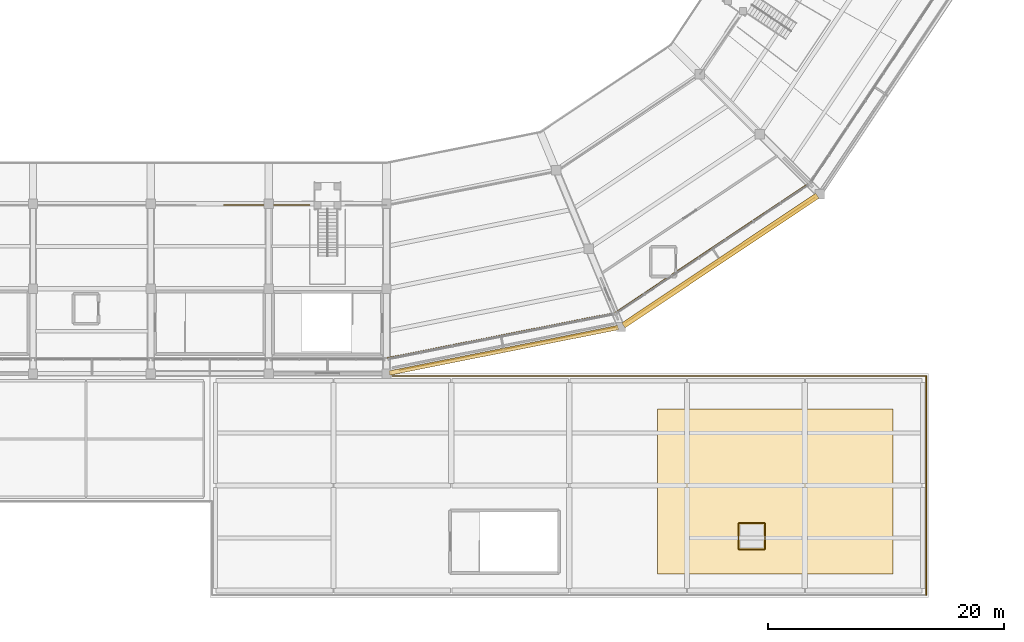
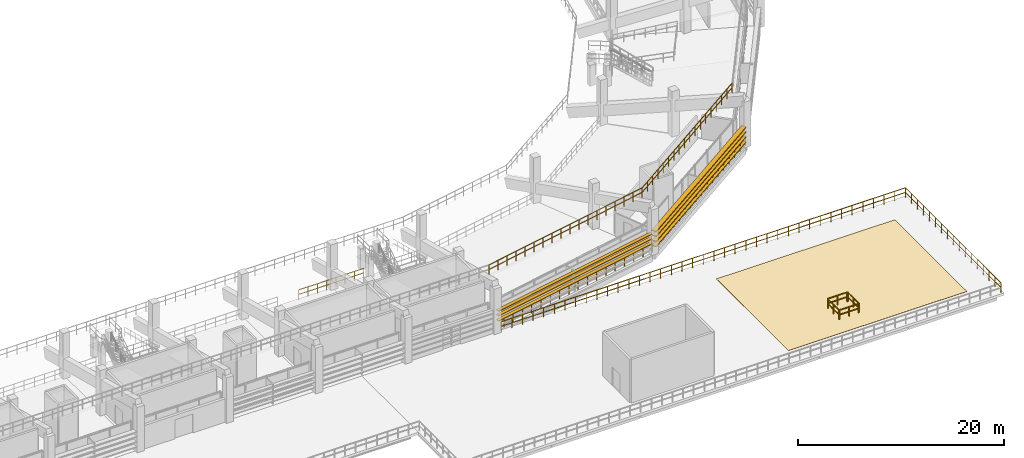
# One storey, part 88 of 96: 11 railings, 7 shading devices, 1 covering.
"""IFC4 building model written with IfcOpenShell, lengths in metres."""

from ifc_helpers import new_model, si_unit, direction, frame, origin, origin_2d, place, context, subcontext, project, spatial, polyline, rectangle, circle, outline, extrude, material, layer, layer_set, type_object, element, save


model = new_model("IFC4")

# Units and contexts
model_context = context("Model", 3, precision=1e-05, world=origin(), true_north=direction((0.0, 1.0)))
body_context = subcontext(model_context, "Body", "Model", "MODEL_VIEW")
ifc_project = project(units=[si_unit("LENGTHUNIT", "METRE"), si_unit("AREAUNIT", "SQUARE_METRE"), si_unit("VOLUMEUNIT", "CUBIC_METRE"), si_unit("PLANEANGLEUNIT", "RADIAN"), si_unit("MASSUNIT", "GRAM", prefix="KILO")], contexts=[model_context])

# Site, building, storey
site_placement = place(None, origin())
site = spatial("IfcSite", under=ifc_project, at=site_placement, CompositionType="ELEMENT")
building_placement = place(site_placement, origin())
building = spatial("IfcBuilding", under=site, at=building_placement, Name="Candeia Ridge Stadium", CompositionType="ELEMENT")
storey_placement = place(building_placement, frame((0.0, 0.0, 21.60009765625)))
storey = spatial("IfcBuildingStorey", under=building, at=storey_placement, Name="L04", CompositionType="ELEMENT", Elevation=21.60009765625)

# Railings
ifc_material_1 = material(Name="Laminated Glass & Stainless Steel", Category="steel")
ifc_layer_1 = layer(ifc_material_1, 0.080078125, Name="Laminated Glass & Stainless Steel", Category="steel")
ifc_layer_set_1 = layer_set([ifc_layer_1], Name="Laminated Glass & Stainless Steel")
railing_type_1 = type_object("IfcRailingType", Name="Planted Terrace Glass-Steel Guard 1150", PredefinedType="BALUSTRADE", material=ifc_layer_set_1)
railing_1_placement = place(storey_placement, frame((170.929931640625, 4.080078125, 0.0)))
element("IfcRailing", 1, at=railing_1_placement, inside=storey, type_object=railing_type_1, Name="Skylight perimeter safety balustrade GR-SKY-06-1", PredefinedType="BALUSTRADE", context=body_context, shape_type="SweptSolid", body=[
    extrude(circle(Radius=0.02392578125, at=origin_2d()), frame((0.0, 0.0, 1.1259765625), z_axis=(1.0, 0.0, 0.0), x_axis=(0.0, 1.0, 0.0)), (0.0, 0.0, 1.0), 2.14013671875),
    extrude(circle(Radius=0.02392578125, at=origin_2d()), frame((0.0, 0.0, 0.574951171875), z_axis=(1.0, 0.0, 0.0), x_axis=(0.0, 1.0, 0.0)), (0.0, 0.0, 1.0), 2.14013671875),
    extrude(circle(Radius=0.02099609375, at=origin_2d()), origin(), (0.0, 0.0, 1.0), 1.101806640625),
    extrude(circle(Radius=0.02099609375, at=origin_2d()), frame((1.070068359375, 0.0, 0.0)), (0.0, 0.0, 1.0), 1.101806640625),
    extrude(circle(Radius=0.02099609375, at=origin_2d()), frame((2.14013671875, 0.0, 0.0)), (0.0, 0.0, 1.0), 1.101806640625),
])
railing_2_placement = place(storey_placement, frame((173.1201171875, 4.1298828125, 0.0)))
element("IfcRailing", 2, at=railing_2_placement, inside=storey, type_object=railing_type_1, Name="Skylight perimeter safety balustrade GR-SKY-06-2", PredefinedType="BALUSTRADE", context=body_context, shape_type="SweptSolid", body=[
    extrude(circle(Radius=0.02392578125, at=origin_2d()), frame((0.0, 0.0, 1.1259765625), z_axis=(0.0, 1.0, 0.0), x_axis=(-1.0, 0.0, 0.0)), (0.0, 0.0, 1.0), 2.14013671875),
    extrude(circle(Radius=0.02392578125, at=origin_2d()), frame((0.0, 0.0, 0.574951171875), z_axis=(0.0, 1.0, 0.0), x_axis=(-1.0, 0.0, 0.0)), (0.0, 0.0, 1.0), 2.14013671875),
    extrude(circle(Radius=0.02099609375, at=origin_2d()), origin(), (0.0, 0.0, 1.0), 1.101806640625),
    extrude(circle(Radius=0.02099609375, at=origin_2d()), frame((0.0, 1.070068359375, 0.0)), (0.0, 0.0, 1.0), 1.101806640625),
    extrude(circle(Radius=0.02099609375, at=origin_2d()), frame((0.0, 2.14013671875, 0.0)), (0.0, 0.0, 1.0), 1.101806640625),
])
railing_3_placement = place(storey_placement, frame((173.070068359375, 6.320068359375, 0.0)))
element("IfcRailing", 3, at=railing_3_placement, inside=storey, type_object=railing_type_1, Name="Skylight perimeter safety balustrade GR-SKY-06-3", PredefinedType="BALUSTRADE", context=body_context, shape_type="SweptSolid", body=[
    extrude(circle(Radius=0.02392578125, at=origin_2d()), frame((0.0, 0.0, 1.1259765625), z_axis=(-1.0, 0.0, 0.0), x_axis=(0.0, -1.0, 0.0)), (0.0, 0.0, 1.0), 2.14013671875),
    extrude(circle(Radius=0.02392578125, at=origin_2d()), frame((0.0, 0.0, 0.574951171875), z_axis=(-1.0, 0.0, 0.0), x_axis=(0.0, -1.0, 0.0)), (0.0, 0.0, 1.0), 2.14013671875),
    extrude(circle(Radius=0.02099609375, at=origin_2d()), origin(), (0.0, 0.0, 1.0), 1.101806640625),
    extrude(circle(Radius=0.02099609375, at=origin_2d()), frame((-1.070068359375, 0.0, 0.0)), (0.0, 0.0, 1.0), 1.101806640625),
    extrude(circle(Radius=0.02099609375, at=origin_2d()), frame((-2.14013671875, 0.0, 0.0)), (0.0, 0.0, 1.0), 1.101806640625),
])
railing_4_placement = place(storey_placement, frame((170.8798828125, 6.27001953125, 0.0)))
element("IfcRailing", 4, at=railing_4_placement, inside=storey, type_object=railing_type_1, Name="Skylight perimeter safety balustrade GR-SKY-06-4", PredefinedType="BALUSTRADE", context=body_context, shape_type="SweptSolid", body=[
    extrude(circle(Radius=0.02392578125, at=origin_2d()), frame((0.0, 0.0, 1.1259765625), z_axis=(0.0, -1.0, 0.0), x_axis=(1.0, 0.0, 0.0)), (0.0, 0.0, 1.0), 2.14013671875),
    extrude(circle(Radius=0.02392578125, at=origin_2d()), frame((0.0, 0.0, 0.574951171875), z_axis=(0.0, -1.0, 0.0), x_axis=(1.0, 0.0, 0.0)), (0.0, 0.0, 1.0), 2.14013671875),
    extrude(circle(Radius=0.02099609375, at=origin_2d()), origin(), (0.0, 0.0, 1.0), 1.101806640625),
    extrude(circle(Radius=0.02099609375, at=origin_2d()), frame((0.0, -1.070068359375, 0.0)), (0.0, 0.0, 1.0), 1.101806640625),
    extrude(circle(Radius=0.02099609375, at=origin_2d()), frame((0.0, -2.14013671875, 0.0)), (0.0, 0.0, 1.0), 1.101806640625),
])
railing_5_placement = place(storey_placement, frame((186.800048828125, 0.199951171875, 0.0)))
element("IfcRailing", 5, at=railing_5_placement, inside=storey, type_object=railing_type_1, Name="Terrace perimeter balustrade GR-TER-206", PredefinedType="BALUSTRADE", context=body_context, shape_type="SweptSolid", body=[
    extrude(circle(Radius=0.02392578125, at=origin_2d()), frame((0.0, 0.0, 1.1259765625), z_axis=(0.0, 1.0, 0.0), x_axis=(-1.0, 0.0, 0.0)), (0.0, 0.0, 1.0), 18.60009765625),
    extrude(circle(Radius=0.02392578125, at=origin_2d()), frame((0.0, 0.0, 0.574951171875), z_axis=(0.0, 1.0, 0.0), x_axis=(-1.0, 0.0, 0.0)), (0.0, 0.0, 1.0), 18.60009765625),
    extrude(circle(Radius=0.02099609375, at=origin_2d()), origin(), (0.0, 0.0, 1.0), 1.101806640625),
    extrude(circle(Radius=0.02099609375, at=origin_2d()), frame((0.0, 1.16259765625, 0.0)), (0.0, 0.0, 1.0), 1.101806640625),
    extrude(circle(Radius=0.02099609375, at=origin_2d()), frame((0.0, 2.324951171875, 0.0)), (0.0, 0.0, 1.0), 1.101806640625),
    extrude(circle(Radius=0.02099609375, at=origin_2d()), frame((0.0, 3.487548828125, 0.0)), (0.0, 0.0, 1.0), 1.101806640625),
    extrude(circle(Radius=0.02099609375, at=origin_2d()), frame((0.0, 4.64990234375, 0.0)), (0.0, 0.0, 1.0), 1.101806640625),
    extrude(circle(Radius=0.02099609375, at=origin_2d()), frame((0.0, 5.8125, 0.0)), (0.0, 0.0, 1.0), 1.101806640625),
    extrude(circle(Radius=0.02099609375, at=origin_2d()), frame((0.0, 6.97509765625, 0.0)), (0.0, 0.0, 1.0), 1.101806640625),
    extrude(circle(Radius=0.02099609375, at=origin_2d()), frame((0.0, 8.137451171875, 0.0)), (0.0, 0.0, 1.0), 1.101806640625),
    extrude(circle(Radius=0.02099609375, at=origin_2d()), frame((0.0, 9.300048828125, 0.0)), (0.0, 0.0, 1.0), 1.101806640625),
    extrude(circle(Radius=0.02099609375, at=origin_2d()), frame((0.0, 10.462646484375, 0.0)), (0.0, 0.0, 1.0), 1.101806640625),
    extrude(circle(Radius=0.02099609375, at=origin_2d()), frame((0.0, 11.625, 0.0)), (0.0, 0.0, 1.0), 1.101806640625),
    extrude(circle(Radius=0.02099609375, at=origin_2d()), frame((0.0, 12.78759765625, 0.0)), (0.0, 0.0, 1.0), 1.101806640625),
    extrude(circle(Radius=0.02099609375, at=origin_2d()), frame((0.0, 13.9501953125, 0.0)), (0.0, 0.0, 1.0), 1.101806640625),
    extrude(circle(Radius=0.02099609375, at=origin_2d()), frame((0.0, 15.112548828125, 0.0)), (0.0, 0.0, 1.0), 1.101806640625),
    extrude(circle(Radius=0.02099609375, at=origin_2d()), frame((0.0, 16.275146484375, 0.0)), (0.0, 0.0, 1.0), 1.101806640625),
    extrude(circle(Radius=0.02099609375, at=origin_2d()), frame((0.0, 17.4375, 0.0)), (0.0, 0.0, 1.0), 1.101806640625),
    extrude(circle(Radius=0.02099609375, at=origin_2d()), frame((0.0, 18.60009765625, 0.0)), (0.0, 0.0, 1.0), 1.101806640625),
])
railing_6_placement = place(storey_placement, frame((186.800048828125, 18.800048828125, 0.0)))
element("IfcRailing", 6, at=railing_6_placement, inside=storey, type_object=railing_type_1, Name="Terrace perimeter balustrade GR-TER-207", PredefinedType="BALUSTRADE", context=body_context, shape_type="SweptSolid", body=[
    extrude(circle(Radius=0.02392578125, at=origin_2d()), frame((0.0, 0.0, 1.1259765625), z_axis=(-1.0, 0.0, 0.0), x_axis=(0.0, -1.0, 0.0)), (0.0, 0.0, 1.0), 45.300048828125),
    extrude(circle(Radius=0.02392578125, at=origin_2d()), frame((0.0, 0.0, 0.574951171875), z_axis=(-1.0, 0.0, 0.0), x_axis=(0.0, -1.0, 0.0)), (0.0, 0.0, 1.0), 45.300048828125),
    extrude(circle(Radius=0.02099609375, at=origin_2d()), origin(), (0.0, 0.0, 1.0), 1.101806640625),
    extrude(circle(Radius=0.02099609375, at=origin_2d()), frame((-1.192138671875, 0.0, 0.0)), (0.0, 0.0, 1.0), 1.101806640625),
    extrude(circle(Radius=0.02099609375, at=origin_2d()), frame((-2.38427734375, 0.0, 0.0)), (0.0, 0.0, 1.0), 1.101806640625),
    extrude(circle(Radius=0.02099609375, at=origin_2d()), frame((-3.576416015625, 0.0, 0.0)), (0.0, 0.0, 1.0), 1.101806640625),
    extrude(circle(Radius=0.02099609375, at=origin_2d()), frame((-4.768310546875, 0.0, 0.0)), (0.0, 0.0, 1.0), 1.101806640625),
    extrude(circle(Radius=0.02099609375, at=origin_2d()), frame((-5.96044921875, 0.0, 0.0)), (0.0, 0.0, 1.0), 1.101806640625),
    extrude(circle(Radius=0.02099609375, at=origin_2d()), frame((-7.152587890625, 0.0, 0.0)), (0.0, 0.0, 1.0), 1.101806640625),
    extrude(circle(Radius=0.02099609375, at=origin_2d()), frame((-8.3447265625, 0.0, 0.0)), (0.0, 0.0, 1.0), 1.101806640625),
    extrude(circle(Radius=0.02099609375, at=origin_2d()), frame((-9.536865234375, 0.0, 0.0)), (0.0, 0.0, 1.0), 1.101806640625),
    extrude(circle(Radius=0.02099609375, at=origin_2d()), frame((-10.72900390625, 0.0, 0.0)), (0.0, 0.0, 1.0), 1.101806640625),
    extrude(circle(Radius=0.02099609375, at=origin_2d()), frame((-11.921142578125, 0.0, 0.0)), (0.0, 0.0, 1.0), 1.101806640625),
    extrude(circle(Radius=0.02099609375, at=origin_2d()), frame((-13.11328125, 0.0, 0.0)), (0.0, 0.0, 1.0), 1.101806640625),
    extrude(circle(Radius=0.02099609375, at=origin_2d()), frame((-14.30517578125, 0.0, 0.0)), (0.0, 0.0, 1.0), 1.101806640625),
    extrude(circle(Radius=0.02099609375, at=origin_2d()), frame((-15.497314453125, 0.0, 0.0)), (0.0, 0.0, 1.0), 1.101806640625),
    extrude(circle(Radius=0.02099609375, at=origin_2d()), frame((-16.689453125, 0.0, 0.0)), (0.0, 0.0, 1.0), 1.101806640625),
    extrude(circle(Radius=0.02099609375, at=origin_2d()), frame((-17.881591796875, 0.0, 0.0)), (0.0, 0.0, 1.0), 1.101806640625),
    extrude(circle(Radius=0.02099609375, at=origin_2d()), frame((-19.07373046875, 0.0, 0.0)), (0.0, 0.0, 1.0), 1.101806640625),
    extrude(circle(Radius=0.02099609375, at=origin_2d()), frame((-20.265869140625, 0.0, 0.0)), (0.0, 0.0, 1.0), 1.101806640625),
    extrude(circle(Radius=0.02099609375, at=origin_2d()), frame((-21.4580078125, 0.0, 0.0)), (0.0, 0.0, 1.0), 1.101806640625),
    extrude(circle(Radius=0.02099609375, at=origin_2d()), frame((-22.64990234375, 0.0, 0.0)), (0.0, 0.0, 1.0), 1.101806640625),
    extrude(circle(Radius=0.02099609375, at=origin_2d()), frame((-23.842041015625, 0.0, 0.0)), (0.0, 0.0, 1.0), 1.101806640625),
    extrude(circle(Radius=0.02099609375, at=origin_2d()), frame((-25.0341796875, 0.0, 0.0)), (0.0, 0.0, 1.0), 1.101806640625),
    extrude(circle(Radius=0.02099609375, at=origin_2d()), frame((-26.226318359375, 0.0, 0.0)), (0.0, 0.0, 1.0), 1.101806640625),
    extrude(circle(Radius=0.02099609375, at=origin_2d()), frame((-27.41845703125, 0.0, 0.0)), (0.0, 0.0, 1.0), 1.101806640625),
    extrude(circle(Radius=0.02099609375, at=origin_2d()), frame((-28.610595703125, 0.0, 0.0)), (0.0, 0.0, 1.0), 1.101806640625),
    extrude(circle(Radius=0.02099609375, at=origin_2d()), frame((-29.802734375, 0.0, 0.0)), (0.0, 0.0, 1.0), 1.101806640625),
    extrude(circle(Radius=0.02099609375, at=origin_2d()), frame((-30.994873046875, 0.0, 0.0)), (0.0, 0.0, 1.0), 1.101806640625),
    extrude(circle(Radius=0.02099609375, at=origin_2d()), frame((-32.186767578125, 0.0, 0.0)), (0.0, 0.0, 1.0), 1.101806640625),
    extrude(circle(Radius=0.02099609375, at=origin_2d()), frame((-33.37890625, 0.0, 0.0)), (0.0, 0.0, 1.0), 1.101806640625),
    extrude(circle(Radius=0.02099609375, at=origin_2d()), frame((-34.571044921875, 0.0, 0.0)), (0.0, 0.0, 1.0), 1.101806640625),
    extrude(circle(Radius=0.02099609375, at=origin_2d()), frame((-35.76318359375, 0.0, 0.0)), (0.0, 0.0, 1.0), 1.101806640625),
    extrude(circle(Radius=0.02099609375, at=origin_2d()), frame((-36.955322265625, 0.0, 0.0)), (0.0, 0.0, 1.0), 1.101806640625),
    extrude(circle(Radius=0.02099609375, at=origin_2d()), frame((-38.1474609375, 0.0, 0.0)), (0.0, 0.0, 1.0), 1.101806640625),
    extrude(circle(Radius=0.02099609375, at=origin_2d()), frame((-39.339599609375, 0.0, 0.0)), (0.0, 0.0, 1.0), 1.101806640625),
    extrude(circle(Radius=0.02099609375, at=origin_2d()), frame((-40.53173828125, 0.0, 0.0)), (0.0, 0.0, 1.0), 1.101806640625),
    extrude(circle(Radius=0.02099609375, at=origin_2d()), frame((-41.7236328125, 0.0, 0.0)), (0.0, 0.0, 1.0), 1.101806640625),
    extrude(circle(Radius=0.02099609375, at=origin_2d()), frame((-42.915771484375, 0.0, 0.0)), (0.0, 0.0, 1.0), 1.101806640625),
    extrude(circle(Radius=0.02099609375, at=origin_2d()), frame((-44.10791015625, 0.0, 0.0)), (0.0, 0.0, 1.0), 1.101806640625),
    extrude(circle(Radius=0.02099609375, at=origin_2d()), frame((-45.300048828125, 0.0, 0.0)), (0.0, 0.0, 1.0), 1.101806640625),
])

# Covering
ifc_material_2 = material(Name="EPDM Root-Barrier Waterproof Membrane", Category="concrete")
ifc_layer_2 = layer(ifc_material_2, 0.02001953125, Name="EPDM Root-Barrier Waterproof Membrane", Category="concrete")
ifc_layer_set_2 = layer_set([ifc_layer_2], Name="EPDM Root-Barrier Waterproof Membrane")
covering_type = type_object("IfcCoveringType", Name="Planted Terrace Waterproof Membrane 20", PredefinedType="ROOFING", material=ifc_layer_set_2)
covering_placement = place(storey_placement, origin())
element("IfcCovering", 7, at=covering_placement, inside=storey, type_object=covering_type, Name="Terrace waterproof membrane RMEM-06", PredefinedType="ROOFING", context=body_context, shape_type="SweptSolid", body=[
    extrude(outline(polyline([(164.0, 2.0), (184.0, 2.0), (184.0, 16.0), (164.0, 16.0), (164.0, 2.0)])), origin(), (0.0, 0.0, 1.0), 0.02001953125),
])

# Railings
ifc_material_3 = material(Name="Galvanized Powder-Coated Steel", Category="steel")
ifc_layer_3 = layer(ifc_material_3, 0.074951171875, Name="Galvanized Powder-Coated Steel", Category="steel")
ifc_layer_set_3 = layer_set([ifc_layer_3], Name="Galvanized Powder-Coated Steel")
railing_type_2 = type_object("IfcRailingType", Name="Spectator Bowl Front Guardrail 1120", PredefinedType="GUARDRAIL", material=ifc_layer_set_3)
railing_7_placement = place(storey_placement, frame((141.0, 20.320068359375, 6.0)))
element("IfcRailing", 8, at=railing_7_placement, inside=storey, type_object=railing_type_2, Name="Stand T3 rear safety guardrail bay 26", PredefinedType="GUARDRAIL", context=body_context, shape_type="SweptSolid", body=[
    extrude(circle(Radius=0.02392578125, at=origin_2d()), frame((0.0, 0.0, 1.09619140625), z_axis=(0.980786224287, 0.195085576731, 0.0), x_axis=(-0.195085576731, 0.980786224287, 0.0)), (0.0, 0.0, 1.0), 19.774169921875),
    extrude(circle(Radius=0.02392578125, at=origin_2d()), frame((0.0, 0.0, 0.56005859375), z_axis=(0.980786224287, 0.195085576731, 0.0), x_axis=(-0.195085576731, 0.980786224287, 0.0)), (0.0, 0.0, 1.0), 19.774169921875),
    extrude(circle(Radius=0.02099609375, at=origin_2d()), origin(), (0.0, 0.0, 1.0), 1.072021484375),
    extrude(circle(Radius=0.02099609375, at=origin_2d()), frame((1.140869140625, 0.226806640625, 0.0)), (0.0, 0.0, 1.0), 1.072021484375),
    extrude(circle(Radius=0.02099609375, at=origin_2d()), frame((2.28173828125, 0.453857421875, 0.0)), (0.0, 0.0, 1.0), 1.072021484375),
    extrude(circle(Radius=0.02099609375, at=origin_2d()), frame((3.422607421875, 0.6806640625, 0.0)), (0.0, 0.0, 1.0), 1.072021484375),
    extrude(circle(Radius=0.02099609375, at=origin_2d()), frame((4.5634765625, 0.90771484375, 0.0)), (0.0, 0.0, 1.0), 1.072021484375),
    extrude(circle(Radius=0.02099609375, at=origin_2d()), frame((5.7041015625, 1.134521484375, 0.0)), (0.0, 0.0, 1.0), 1.072021484375),
    extrude(circle(Radius=0.02099609375, at=origin_2d()), frame((6.844970703125, 1.361572265625, 0.0)), (0.0, 0.0, 1.0), 1.072021484375),
    extrude(circle(Radius=0.02099609375, at=origin_2d()), frame((7.98583984375, 1.58837890625, 0.0)), (0.0, 0.0, 1.0), 1.072021484375),
    extrude(circle(Radius=0.02099609375, at=origin_2d()), frame((9.126708984375, 1.8154296875, 0.0)), (0.0, 0.0, 1.0), 1.072021484375),
    extrude(circle(Radius=0.02099609375, at=origin_2d()), frame((10.267578125, 2.042236328125, 0.0)), (0.0, 0.0, 1.0), 1.072021484375),
    extrude(circle(Radius=0.02099609375, at=origin_2d()), frame((11.408447265625, 2.269287109375, 0.0)), (0.0, 0.0, 1.0), 1.072021484375),
    extrude(circle(Radius=0.02099609375, at=origin_2d()), frame((12.54931640625, 2.49609375, 0.0)), (0.0, 0.0, 1.0), 1.072021484375),
    extrude(circle(Radius=0.02099609375, at=origin_2d()), frame((13.690185546875, 2.72314453125, 0.0)), (0.0, 0.0, 1.0), 1.072021484375),
    extrude(circle(Radius=0.02099609375, at=origin_2d()), frame((14.830810546875, 2.949951171875, 0.0)), (0.0, 0.0, 1.0), 1.072021484375),
    extrude(circle(Radius=0.02099609375, at=origin_2d()), frame((15.9716796875, 3.177001953125, 0.0)), (0.0, 0.0, 1.0), 1.072021484375),
    extrude(circle(Radius=0.02099609375, at=origin_2d()), frame((17.112548828125, 3.40380859375, 0.0)), (0.0, 0.0, 1.0), 1.072021484375),
    extrude(circle(Radius=0.02099609375, at=origin_2d()), frame((18.25341796875, 3.630859375, 0.0)), (0.0, 0.0, 1.0), 1.072021484375),
    extrude(circle(Radius=0.02099609375, at=origin_2d()), frame((19.394287109375, 3.857666015625, 0.0)), (0.0, 0.0, 1.0), 1.072021484375),
])
railing_8_placement = place(storey_placement, frame((160.394287109375, 24.177734375, 6.0)))
element("IfcRailing", 9, at=railing_8_placement, inside=storey, type_object=railing_type_2, Name="Stand T3 rear safety guardrail bay 27", PredefinedType="GUARDRAIL", context=body_context, shape_type="SweptSolid", body=[
    extrude(circle(Radius=0.02392578125, at=origin_2d()), frame((0.0, 0.0, 1.09619140625), z_axis=(0.831470516544, 0.555568879725, 0.0), x_axis=(-0.555568879725, 0.831470516544, 0.0)), (0.0, 0.0, 1.0), 19.7744140625),
    extrude(circle(Radius=0.02392578125, at=origin_2d()), frame((0.0, 0.0, 0.56005859375), z_axis=(0.831470516544, 0.555568879725, 0.0), x_axis=(-0.555568879725, 0.831470516544, 0.0)), (0.0, 0.0, 1.0), 19.7744140625),
    extrude(circle(Radius=0.02099609375, at=origin_2d()), origin(), (0.0, 0.0, 1.0), 1.072021484375),
    extrude(circle(Radius=0.02099609375, at=origin_2d()), frame((0.96728515625, 0.646240234375, 0.0)), (0.0, 0.0, 1.0), 1.072021484375),
    extrude(circle(Radius=0.02099609375, at=origin_2d()), frame((1.934326171875, 1.29248046875, 0.0)), (0.0, 0.0, 1.0), 1.072021484375),
    extrude(circle(Radius=0.02099609375, at=origin_2d()), frame((2.901611328125, 1.938720703125, 0.0)), (0.0, 0.0, 1.0), 1.072021484375),
    extrude(circle(Radius=0.02099609375, at=origin_2d()), frame((3.86865234375, 2.5849609375, 0.0)), (0.0, 0.0, 1.0), 1.072021484375),
    extrude(circle(Radius=0.02099609375, at=origin_2d()), frame((4.8359375, 3.231201171875, 0.0)), (0.0, 0.0, 1.0), 1.072021484375),
    extrude(circle(Radius=0.02099609375, at=origin_2d()), frame((5.802978515625, 3.87744140625, 0.0)), (0.0, 0.0, 1.0), 1.072021484375),
    extrude(circle(Radius=0.02099609375, at=origin_2d()), frame((6.770263671875, 4.523681640625, 0.0)), (0.0, 0.0, 1.0), 1.072021484375),
    extrude(circle(Radius=0.02099609375, at=origin_2d()), frame((7.7373046875, 5.169921875, 0.0)), (0.0, 0.0, 1.0), 1.072021484375),
    extrude(circle(Radius=0.02099609375, at=origin_2d()), frame((8.70458984375, 5.816162109375, 0.0)), (0.0, 0.0, 1.0), 1.072021484375),
    extrude(circle(Radius=0.02099609375, at=origin_2d()), frame((9.671630859375, 6.46240234375, 0.0)), (0.0, 0.0, 1.0), 1.072021484375),
    extrude(circle(Radius=0.02099609375, at=origin_2d()), frame((10.638916015625, 7.108642578125, 0.0)), (0.0, 0.0, 1.0), 1.072021484375),
    extrude(circle(Radius=0.02099609375, at=origin_2d()), frame((11.60595703125, 7.7548828125, 0.0)), (0.0, 0.0, 1.0), 1.072021484375),
    extrude(circle(Radius=0.02099609375, at=origin_2d()), frame((12.5732421875, 8.401123046875, 0.0)), (0.0, 0.0, 1.0), 1.072021484375),
    extrude(circle(Radius=0.02099609375, at=origin_2d()), frame((13.540283203125, 9.04736328125, 0.0)), (0.0, 0.0, 1.0), 1.072021484375),
    extrude(circle(Radius=0.02099609375, at=origin_2d()), frame((14.507568359375, 9.693603515625, 0.0)), (0.0, 0.0, 1.0), 1.072021484375),
    extrude(circle(Radius=0.02099609375, at=origin_2d()), frame((15.474609375, 10.33984375, 0.0)), (0.0, 0.0, 1.0), 1.072021484375),
    extrude(circle(Radius=0.02099609375, at=origin_2d()), frame((16.44189453125, 10.986083984375, 0.0)), (0.0, 0.0, 1.0), 1.072021484375),
])
railing_9_placement = place(storey_placement, frame((177.76953125, 34.23046875, 0.0)))
element("IfcRailing", 10, at=railing_9_placement, inside=storey, type_object=railing_type_2, Name="Deck edge safety guardrail GR-DE-L04-0201", PredefinedType="GUARDRAIL", context=body_context, shape_type="SweptSolid", body=[
    extrude(circle(Radius=0.02392578125, at=origin_2d()), frame((0.0, 0.0, 1.09619140625), z_axis=(-0.83349543364, -0.552526345165, 0.0), x_axis=(0.552526345165, -0.83349543364, 0.0)), (0.0, 0.0, 1.0), 20.259033203125),
    extrude(circle(Radius=0.02392578125, at=origin_2d()), frame((0.0, 0.0, 0.56005859375), z_axis=(-0.83349543364, -0.552526345165, 0.0), x_axis=(0.552526345165, -0.83349543364, 0.0)), (0.0, 0.0, 1.0), 20.259033203125),
    extrude(circle(Radius=0.02099609375, at=origin_2d()), origin(), (0.0, 0.0, 1.0), 1.072021484375),
    extrude(circle(Radius=0.02099609375, at=origin_2d()), frame((-0.9931640625, -0.658447265625, 0.0)), (0.0, 0.0, 1.0), 1.072021484375),
    extrude(circle(Radius=0.02099609375, at=origin_2d()), frame((-1.986572265625, -1.31689453125, 0.0)), (0.0, 0.0, 1.0), 1.072021484375),
    extrude(circle(Radius=0.02099609375, at=origin_2d()), frame((-2.979736328125, -1.975341796875, 0.0)), (0.0, 0.0, 1.0), 1.072021484375),
    extrude(circle(Radius=0.02099609375, at=origin_2d()), frame((-3.97314453125, -2.6337890625, 0.0)), (0.0, 0.0, 1.0), 1.072021484375),
    extrude(circle(Radius=0.02099609375, at=origin_2d()), frame((-4.96630859375, -3.292236328125, 0.0)), (0.0, 0.0, 1.0), 1.072021484375),
    extrude(circle(Radius=0.02099609375, at=origin_2d()), frame((-5.959716796875, -3.95068359375, 0.0)), (0.0, 0.0, 1.0), 1.072021484375),
    extrude(circle(Radius=0.02099609375, at=origin_2d()), frame((-6.952880859375, -4.609130859375, 0.0)), (0.0, 0.0, 1.0), 1.072021484375),
    extrude(circle(Radius=0.02099609375, at=origin_2d()), frame((-7.9462890625, -5.267578125, 0.0)), (0.0, 0.0, 1.0), 1.072021484375),
    extrude(circle(Radius=0.02099609375, at=origin_2d()), frame((-8.939453125, -5.926025390625, 0.0)), (0.0, 0.0, 1.0), 1.072021484375),
    extrude(circle(Radius=0.02099609375, at=origin_2d()), frame((-9.932861328125, -6.58447265625, 0.0)), (0.0, 0.0, 1.0), 1.072021484375),
    extrude(circle(Radius=0.02099609375, at=origin_2d()), frame((-10.926025390625, -7.242919921875, 0.0)), (0.0, 0.0, 1.0), 1.072021484375),
    extrude(circle(Radius=0.02099609375, at=origin_2d()), frame((-11.91943359375, -7.9013671875, 0.0)), (0.0, 0.0, 1.0), 1.072021484375),
    extrude(circle(Radius=0.02099609375, at=origin_2d()), frame((-12.91259765625, -8.559814453125, 0.0)), (0.0, 0.0, 1.0), 1.072021484375),
    extrude(circle(Radius=0.02099609375, at=origin_2d()), frame((-13.906005859375, -9.21826171875, 0.0)), (0.0, 0.0, 1.0), 1.072021484375),
    extrude(circle(Radius=0.02099609375, at=origin_2d()), frame((-14.899169921875, -9.876708984375, 0.0)), (0.0, 0.0, 1.0), 1.072021484375),
    extrude(circle(Radius=0.02099609375, at=origin_2d()), frame((-15.892578125, -10.53515625, 0.0)), (0.0, 0.0, 1.0), 1.072021484375),
    extrude(circle(Radius=0.02099609375, at=origin_2d()), frame((-16.8857421875, -11.193603515625, 0.0)), (0.0, 0.0, 1.0), 1.072021484375),
])
railing_10_placement = place(storey_placement, frame((160.8837890625, 23.036865234375, 0.0)))
element("IfcRailing", 11, at=railing_10_placement, inside=storey, type_object=railing_type_2, Name="Deck edge safety guardrail GR-DE-L04-0202", PredefinedType="GUARDRAIL", context=body_context, shape_type="SweptSolid", body=[
    extrude(circle(Radius=0.02392578125, at=origin_2d()), frame((0.0, 0.0, 1.09619140625), z_axis=(-0.980784978629, -0.195091839133, 0.0), x_axis=(0.195091839133, -0.980784978629, 0.0)), (0.0, 0.0, 1.0), 19.16162109375),
    extrude(circle(Radius=0.02392578125, at=origin_2d()), frame((0.0, 0.0, 0.56005859375), z_axis=(-0.980784978629, -0.195091839133, 0.0), x_axis=(0.195091839133, -0.980784978629, 0.0)), (0.0, 0.0, 1.0), 19.16162109375),
    extrude(circle(Radius=0.02099609375, at=origin_2d()), origin(), (0.0, 0.0, 1.0), 1.072021484375),
    extrude(circle(Radius=0.02099609375, at=origin_2d()), frame((-1.174560546875, -0.233642578125, 0.0)), (0.0, 0.0, 1.0), 1.072021484375),
    extrude(circle(Radius=0.02099609375, at=origin_2d()), frame((-2.34912109375, -0.46728515625, 0.0)), (0.0, 0.0, 1.0), 1.072021484375),
    extrude(circle(Radius=0.02099609375, at=origin_2d()), frame((-3.523681640625, -0.700927734375, 0.0)), (0.0, 0.0, 1.0), 1.072021484375),
    extrude(circle(Radius=0.02099609375, at=origin_2d()), frame((-4.6982421875, -0.9345703125, 0.0)), (0.0, 0.0, 1.0), 1.072021484375),
    extrude(circle(Radius=0.02099609375, at=origin_2d()), frame((-5.873046875, -1.168212890625, 0.0)), (0.0, 0.0, 1.0), 1.072021484375),
    extrude(circle(Radius=0.02099609375, at=origin_2d()), frame((-7.047607421875, -1.40185546875, 0.0)), (0.0, 0.0, 1.0), 1.072021484375),
    extrude(circle(Radius=0.02099609375, at=origin_2d()), frame((-8.22216796875, -1.635498046875, 0.0)), (0.0, 0.0, 1.0), 1.072021484375),
    extrude(circle(Radius=0.02099609375, at=origin_2d()), frame((-9.396728515625, -1.869140625, 0.0)), (0.0, 0.0, 1.0), 1.072021484375),
    extrude(circle(Radius=0.02099609375, at=origin_2d()), frame((-10.5712890625, -2.102783203125, 0.0)), (0.0, 0.0, 1.0), 1.072021484375),
    extrude(circle(Radius=0.02099609375, at=origin_2d()), frame((-11.745849609375, -2.33642578125, 0.0)), (0.0, 0.0, 1.0), 1.072021484375),
    extrude(circle(Radius=0.02099609375, at=origin_2d()), frame((-12.92041015625, -2.570068359375, 0.0)), (0.0, 0.0, 1.0), 1.072021484375),
    extrude(circle(Radius=0.02099609375, at=origin_2d()), frame((-14.09521484375, -2.8037109375, 0.0)), (0.0, 0.0, 1.0), 1.072021484375),
    extrude(circle(Radius=0.02099609375, at=origin_2d()), frame((-15.269775390625, -3.037353515625, 0.0)), (0.0, 0.0, 1.0), 1.072021484375),
    extrude(circle(Radius=0.02099609375, at=origin_2d()), frame((-16.4443359375, -3.27099609375, 0.0)), (0.0, 0.0, 1.0), 1.072021484375),
    extrude(circle(Radius=0.02099609375, at=origin_2d()), frame((-17.618896484375, -3.504638671875, 0.0)), (0.0, 0.0, 1.0), 1.072021484375),
    extrude(circle(Radius=0.02099609375, at=origin_2d()), frame((-18.79345703125, -3.73828125, 0.0)), (0.0, 0.0, 1.0), 1.072021484375),
])
railing_11_placement = place(storey_placement, frame((127.199951171875, 33.320068359375, 0.0)))
element("IfcRailing", 12, at=railing_11_placement, inside=storey, type_object=railing_type_2, Name="Deck edge safety guardrail GR-DE-L04-0214", PredefinedType="GUARDRAIL", context=body_context, shape_type="SweptSolid", body=[
    extrude(circle(Radius=0.02392578125, at=origin_2d()), frame((0.0, 0.0, 1.09619140625), z_axis=(1.0, 0.0, 0.0), x_axis=(0.0, 1.0, 0.0)), (0.0, 0.0, 1.0), 7.280029296875),
    extrude(circle(Radius=0.02392578125, at=origin_2d()), frame((0.0, 0.0, 0.56005859375), z_axis=(1.0, 0.0, 0.0), x_axis=(0.0, 1.0, 0.0)), (0.0, 0.0, 1.0), 7.280029296875),
    extrude(circle(Radius=0.02099609375, at=origin_2d()), origin(), (0.0, 0.0, 1.0), 1.072021484375),
    extrude(circle(Radius=0.02099609375, at=origin_2d()), frame((1.0400390625, 0.0, 0.0)), (0.0, 0.0, 1.0), 1.072021484375),
    extrude(circle(Radius=0.02099609375, at=origin_2d()), frame((2.080078125, 0.0, 0.0)), (0.0, 0.0, 1.0), 1.072021484375),
    extrude(circle(Radius=0.02099609375, at=origin_2d()), frame((3.1201171875, 0.0, 0.0)), (0.0, 0.0, 1.0), 1.072021484375),
    extrude(circle(Radius=0.02099609375, at=origin_2d()), frame((4.159912109375, 0.0, 0.0)), (0.0, 0.0, 1.0), 1.072021484375),
    extrude(circle(Radius=0.02099609375, at=origin_2d()), frame((5.199951171875, 0.0, 0.0)), (0.0, 0.0, 1.0), 1.072021484375),
    extrude(circle(Radius=0.02099609375, at=origin_2d()), frame((6.239990234375, 0.0, 0.0)), (0.0, 0.0, 1.0), 1.072021484375),
    extrude(circle(Radius=0.02099609375, at=origin_2d()), frame((7.280029296875, 0.0, 0.0)), (0.0, 0.0, 1.0), 1.072021484375),
])

# Shading devices
ifc_material_4 = material(Name="Aluminium Anodized Warm Bronze", Category="aluminium")
shading_device_type_1 = type_object("IfcShadingDeviceType", Name="Weathered Bronze Horizontal Solar Rib 380x85", PredefinedType="JALOUSIE", material=ifc_material_4)
for number, where, z_axis, x_axis, name in (
    (13, (150.94970703125, 20.979248046875, 1.17724609375), (0.0, 0.0, 1.0), (0.980785282416, 0.195090311899, 0.0), "Weathered bronze horizontal solar rib L04 bay 26-2"),
    (14, (150.94970703125, 20.979248046875, 1.787109375), (0.0, 0.0, 1.0), (0.980785282416, 0.195090311899, 0.0), "Weathered bronze horizontal solar rib L04 bay 26-3"),
    (15, (150.94970703125, 20.979248046875, 2.341552734375), (0.0, 0.0, 1.0), (0.980785282416, 0.195090311899, 0.0), "Weathered bronze horizontal solar rib L04 bay 26-4"),
):
    element("IfcShadingDevice", number, at=place(storey_placement, frame(where, z_axis=z_axis, x_axis=x_axis)), inside=storey, type_object=shading_device_type_1, Name=name, PredefinedType="JALOUSIE", context=body_context, shape_type="SweptSolid", body=[
        extrude(rectangle(XDim=19.789306640625, YDim=0.3798828125, at=origin_2d()), origin(), (0.0, 0.0, 1.0), 0.0849609375),
    ])
shading_device_type_2 = type_object("IfcShadingDeviceType", Name="Weathered Bronze Horizontal Solar Rib 500x105", PredefinedType="JALOUSIE", material=ifc_material_4)
for number, where, z_axis, x_axis, name in (
    (16, (169.33447265625, 28.59423828125, 0.557373046875), (0.0, 0.0, 1.0), (0.831469626973, 0.555570211063, 0.0), "Weathered bronze horizontal solar rib L04 bay 27-1"),
    (17, (169.33447265625, 28.59423828125, 1.167236328125), (0.0, 0.0, 1.0), (0.831469626973, 0.555570211063, 0.0), "Weathered bronze horizontal solar rib L04 bay 27-2"),
    (18, (169.33447265625, 28.59423828125, 1.777099609375), (0.0, 0.0, 1.0), (0.831469626973, 0.555570211063, 0.0), "Weathered bronze horizontal solar rib L04 bay 27-3"),
    (19, (169.33447265625, 28.59423828125, 2.33154296875), (0.0, 0.0, 1.0), (0.831469626973, 0.555570211063, 0.0), "Weathered bronze horizontal solar rib L04 bay 27-4"),
):
    element("IfcShadingDevice", number, at=place(storey_placement, frame(where, z_axis=z_axis, x_axis=x_axis)), inside=storey, type_object=shading_device_type_2, Name=name, PredefinedType="JALOUSIE", context=body_context, shape_type="SweptSolid", body=[
        extrude(rectangle(XDim=19.789306640625, YDim=0.5, at=origin_2d()), origin(), (0.0, 0.0, 1.0), 0.10498046875),
    ])

save(model, "model.ifc")
